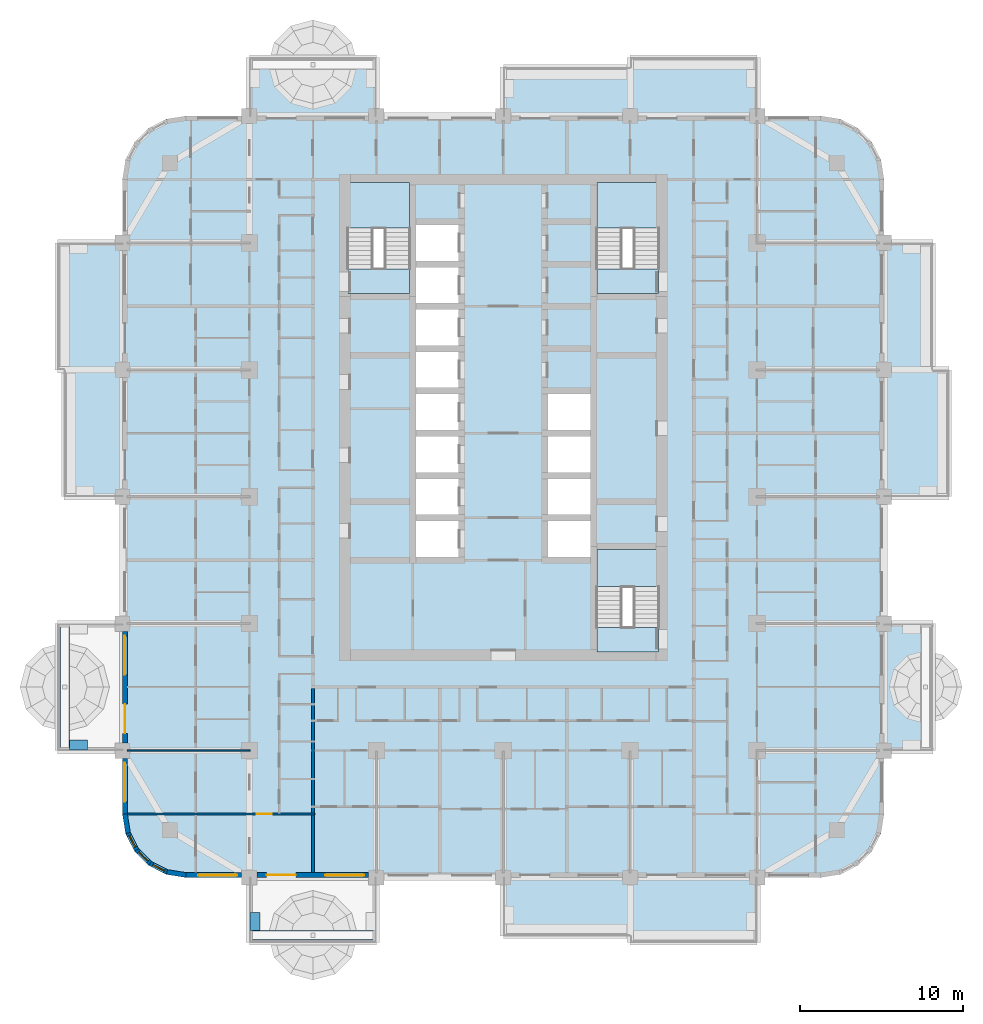
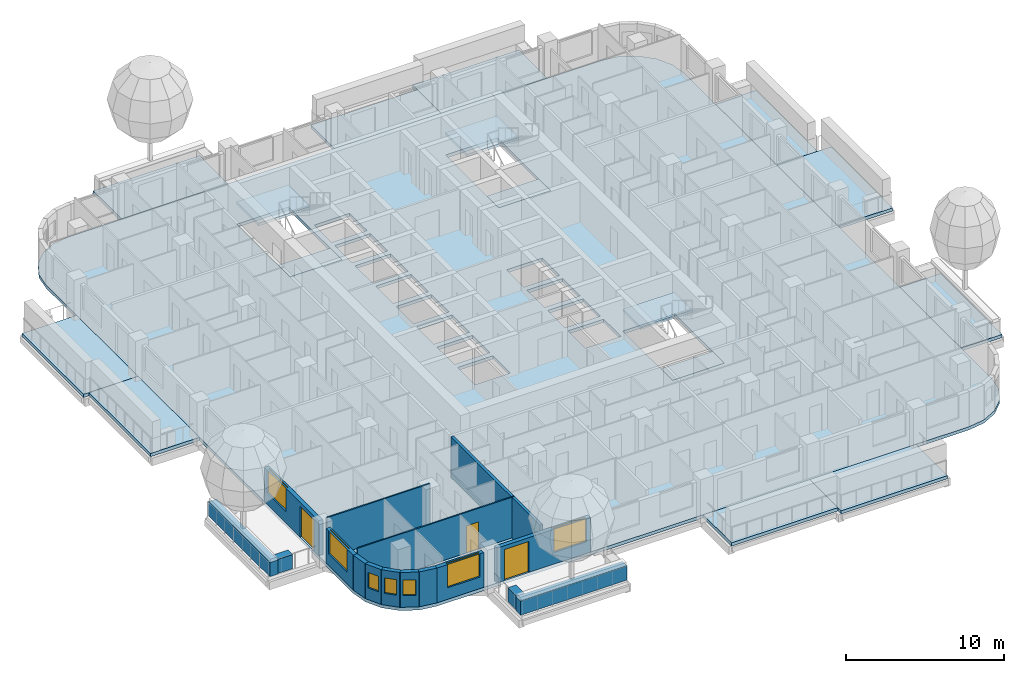
# One storey, part 2 of 19: 17 slabs, 16 walls, 7 windows, 3 doors, 10 openings, 3 elements without a shape of their own.
"""IFC4 building model written with IfcOpenShell, lengths in metres."""

from ifc_helpers import new_model, si_unit, direction, frame, frame_2d, origin, place, context, subcontext, project, spatial, polyline, rectangle, outline, extrude, material, layer, layer_set, type_object, element, fill, aggregate, save


model = new_model("IFC4")

# Units and contexts
model_context = context("Model", 3, precision=1e-05, world=origin(), true_north=direction((0.0, 1.0)))
body_context = subcontext(model_context, "Body", "Model", "MODEL_VIEW")
ifc_project = project(units=[si_unit("LENGTHUNIT", "METRE"), si_unit("AREAUNIT", "SQUARE_METRE"), si_unit("VOLUMEUNIT", "CUBIC_METRE"), si_unit("PLANEANGLEUNIT", "RADIAN"), si_unit("MASSUNIT", "GRAM", prefix="KILO")], contexts=[model_context])

# Site, building, storey
site_placement = place(None, origin())
site = spatial("IfcSite", under=ifc_project, at=site_placement, CompositionType="ELEMENT")
building_placement = place(site_placement, origin())
building = spatial("IfcBuilding", under=site, at=building_placement, Name="Ludao Terraces", CompositionType="ELEMENT")
storey_placement = place(building_placement, frame((0.0, 0.0, 81.800048828125)))
storey = spatial("IfcBuildingStorey", under=building, at=storey_placement, Name="L22", CompositionType="ELEMENT", Elevation=81.800048828125)

# Slabs
ifc_material_1 = material(Name="Concrete C40", Category="concrete")
ifc_layer_1 = layer(ifc_material_1, 0.25)
ifc_layer_set_1 = layer_set([ifc_layer_1], Name="Balcony slab 250 C40")
slab_type_1 = type_object("IfcSlabType", Name="Balcony slab 250 C40", PredefinedType="USERDEFINED", material=ifc_layer_set_1)
slab_1_placement = place(storey_placement, frame((0.0, 0.0, -0.25)))
element("IfcSlab", 1, at=slab_1_placement, inside=storey, type_object=slab_type_1, Name="Balcony L22 S3", ObjectType="BALCONY", PredefinedType="USERDEFINED", context=body_context, shape_type="SweptSolid", body=[
    extrude(outline(polyline([(85.0, 38.0), (92.800048828125, 38.0), (92.800048828125, 41.60009765625), (85.0, 41.60009765625), (85.0, 38.0)])), origin(), (0.0, 0.0, 1.0), 0.25),
])
slab_2_placement = place(storey_placement, frame((0.0, 0.0, -0.25)))
element("IfcSlab", 2, at=slab_2_placement, inside=storey, type_object=slab_type_1, Name="Balcony L22 S4", ObjectType="BALCONY", PredefinedType="USERDEFINED", context=body_context, shape_type="SweptSolid", body=[
    extrude(outline(polyline([(92.800048828125, 37.60009765625), (100.60009765625, 37.60009765625), (100.60009765625, 41.60009765625), (92.800048828125, 41.60009765625), (92.800048828125, 37.60009765625)])), origin(), (0.0, 0.0, 1.0), 0.25),
])
slab_3_placement = place(storey_placement, frame((0.0, 0.0, -0.25)))
element("IfcSlab", 3, at=slab_3_placement, inside=storey, type_object=slab_type_1, Name="Balcony L22 E1", ObjectType="BALCONY", PredefinedType="USERDEFINED", context=body_context, shape_type="SweptSolid", body=[
    extrude(outline(polyline([(108.39990234375, 49.39990234375), (111.39990234375, 49.39990234375), (111.39990234375, 57.199951171875), (108.39990234375, 57.199951171875), (108.39990234375, 49.39990234375)])), origin(), (0.0, 0.0, 1.0), 0.25),
])
slab_4_placement = place(storey_placement, frame((0.0, 0.0, -0.25)))
element("IfcSlab", 4, at=slab_4_placement, inside=storey, type_object=slab_type_1, Name="Balcony L22 E3", ObjectType="BALCONY", PredefinedType="USERDEFINED", context=body_context, shape_type="SweptSolid", body=[
    extrude(outline(polyline([(108.39990234375, 65.0), (112.39990234375, 65.0), (112.39990234375, 72.800048828125), (108.39990234375, 72.800048828125), (108.39990234375, 65.0)])), origin(), (0.0, 0.0, 1.0), 0.25),
])
slab_5_placement = place(storey_placement, frame((0.0, 0.0, -0.25)))
element("IfcSlab", 5, at=slab_5_placement, inside=storey, type_object=slab_type_1, Name="Balcony L22 E4", ObjectType="BALCONY", PredefinedType="USERDEFINED", context=body_context, shape_type="SweptSolid", body=[
    extrude(outline(polyline([(108.39990234375, 72.800048828125), (111.39990234375, 72.800048828125), (111.39990234375, 80.60009765625), (108.39990234375, 80.60009765625), (108.39990234375, 72.800048828125)])), origin(), (0.0, 0.0, 1.0), 0.25),
])
slab_6_placement = place(storey_placement, frame((0.0, 0.0, -0.25)))
element("IfcSlab", 6, at=slab_6_placement, inside=storey, type_object=slab_type_1, Name="Balcony L22 N1", ObjectType="BALCONY", PredefinedType="USERDEFINED", context=body_context, shape_type="SweptSolid", body=[
    extrude(outline(polyline([(69.39990234375, 88.39990234375), (77.199951171875, 88.39990234375), (77.199951171875, 92.0), (69.39990234375, 92.0), (69.39990234375, 88.39990234375)])), origin(), (0.0, 0.0, 1.0), 0.25),
])
slab_7_placement = place(storey_placement, frame((0.0, 0.0, -0.25)))
element("IfcSlab", 7, at=slab_7_placement, inside=storey, type_object=slab_type_1, Name="Balcony L22 N3", ObjectType="BALCONY", PredefinedType="USERDEFINED", context=body_context, shape_type="SweptSolid", body=[
    extrude(outline(polyline([(85.0, 88.39990234375), (92.800048828125, 88.39990234375), (92.800048828125, 91.39990234375), (85.0, 91.39990234375), (85.0, 88.39990234375)])), origin(), (0.0, 0.0, 1.0), 0.25),
])
slab_8_placement = place(storey_placement, frame((0.0, 0.0, -0.25)))
element("IfcSlab", 8, at=slab_8_placement, inside=storey, type_object=slab_type_1, Name="Balcony L22 N4", ObjectType="BALCONY", PredefinedType="USERDEFINED", context=body_context, shape_type="SweptSolid", body=[
    extrude(outline(polyline([(92.800048828125, 88.39990234375), (100.60009765625, 88.39990234375), (100.60009765625, 92.0), (92.800048828125, 92.0), (92.800048828125, 88.39990234375)])), origin(), (0.0, 0.0, 1.0), 0.25),
])
slab_9_placement = place(storey_placement, frame((0.0, 0.0, -0.25)))
element("IfcSlab", 9, at=slab_9_placement, inside=storey, type_object=slab_type_1, Name="Balcony L22 W3", ObjectType="BALCONY", PredefinedType="USERDEFINED", context=body_context, shape_type="SweptSolid", body=[
    extrude(outline(polyline([(58.0, 65.0), (61.60009765625, 65.0), (61.60009765625, 72.800048828125), (58.0, 72.800048828125), (58.0, 65.0)])), origin(), (0.0, 0.0, 1.0), 0.25),
])
slab_10_placement = place(storey_placement, frame((0.0, 0.0, -0.25)))
element("IfcSlab", 10, at=slab_10_placement, inside=storey, type_object=slab_type_1, Name="Balcony L22 W4", ObjectType="BALCONY", PredefinedType="USERDEFINED", context=body_context, shape_type="SweptSolid", body=[
    extrude(outline(polyline([(57.60009765625, 72.800048828125), (61.60009765625, 72.800048828125), (61.60009765625, 80.60009765625), (57.60009765625, 80.60009765625), (57.60009765625, 72.800048828125)])), origin(), (0.0, 0.0, 1.0), 0.25),
])
ifc_layer_2 = layer(ifc_material_1, 0.25)
ifc_layer_set_2 = layer_set([ifc_layer_2], Name="Floor slab 250 C40")
slab_type_2 = type_object("IfcSlabType", Name="Floor slab 250 C40", PredefinedType="FLOOR", material=ifc_layer_set_2)
slab_11_placement = place(storey_placement, frame((0.0, 0.0, -0.25)))
element("IfcSlab", 11, at=slab_11_placement, inside=storey, type_object=slab_type_2, Name="Slab L22", PredefinedType="FLOOR", context=body_context, shape_type="SweptSolid", body=[
    extrude(outline(polyline([(104.5, 41.60009765625), (105.705078125, 41.790771484375), (106.79248046875, 42.3447265625), (107.6552734375, 43.20751953125), (108.209228515625, 44.294921875), (108.39990234375, 45.5), (108.39990234375, 84.5), (108.209228515625, 85.705078125), (107.6552734375, 86.79248046875), (106.79248046875, 87.6552734375), (105.705078125, 88.209228515625), (104.5, 88.39990234375), (65.5, 88.39990234375), (64.294921875, 88.209228515625), (63.20751953125, 87.6552734375), (62.3447265625, 86.79248046875), (61.790771484375, 85.705078125), (61.60009765625, 84.5), (61.60009765625, 45.5), (61.790771484375, 44.294921875), (62.3447265625, 43.20751953125), (63.20751953125, 42.3447265625), (64.294921875, 41.790771484375), (65.5, 41.60009765625), (104.5, 41.60009765625)]), holes=[polyline([(79.64990234375, 61.300048828125), (82.25, 61.300048828125), (82.25, 63.5), (79.64990234375, 63.5), (79.64990234375, 61.300048828125)]), polyline([(79.64990234375, 63.89990234375), (82.25, 63.89990234375), (82.25, 66.10009765625), (79.64990234375, 66.10009765625), (79.64990234375, 63.89990234375)]), polyline([(79.64990234375, 66.5), (82.25, 66.5), (82.25, 68.699951171875), (79.64990234375, 68.699951171875), (79.64990234375, 66.5)]), polyline([(79.64990234375, 69.10009765625), (82.25, 69.10009765625), (82.25, 71.300048828125), (79.64990234375, 71.300048828125), (79.64990234375, 69.10009765625)]), polyline([(79.64990234375, 71.699951171875), (82.25, 71.699951171875), (82.25, 73.89990234375), (79.64990234375, 73.89990234375), (79.64990234375, 71.699951171875)]), polyline([(79.64990234375, 74.300048828125), (82.25, 74.300048828125), (82.25, 76.5), (79.64990234375, 76.5), (79.64990234375, 74.300048828125)]), polyline([(79.64990234375, 76.89990234375), (82.25, 76.89990234375), (82.25, 79.10009765625), (79.64990234375, 79.10009765625), (79.64990234375, 76.89990234375)]), polyline([(79.64990234375, 79.5), (82.25, 79.5), (82.25, 81.699951171875), (79.64990234375, 81.699951171875), (79.64990234375, 79.5)]), polyline([(87.75, 61.300048828125), (90.35009765625, 61.300048828125), (90.35009765625, 63.5), (87.75, 63.5), (87.75, 61.300048828125)]), polyline([(87.75, 63.89990234375), (90.35009765625, 63.89990234375), (90.35009765625, 66.10009765625), (87.75, 66.10009765625), (87.75, 63.89990234375)]), polyline([(87.75, 66.5), (90.35009765625, 66.5), (90.35009765625, 68.699951171875), (87.75, 68.699951171875), (87.75, 66.5)]), polyline([(87.75, 69.10009765625), (90.35009765625, 69.10009765625), (90.35009765625, 71.300048828125), (87.75, 71.300048828125), (87.75, 69.10009765625)]), polyline([(75.449951171875, 77.5), (79.25, 77.5), (79.25, 84.239990234375), (75.449951171875, 84.239990234375), (75.449951171875, 77.5)]), polyline([(90.75, 77.5), (94.550048828125, 77.5), (94.550048828125, 84.239990234375), (90.75, 84.239990234375), (90.75, 77.5)]), polyline([(90.75, 55.449951171875), (94.550048828125, 55.449951171875), (94.550048828125, 61.75), (90.75, 61.75), (90.75, 55.449951171875)])]), origin(), (0.0, 0.0, 1.0), 0.25),
])

# Stair, slabs
stair_type = type_object("IfcStairType", Name="INT Stair", PredefinedType="HALF_TURN_STAIR", material=ifc_material_1)
stair_1_placement = place(storey_placement, origin())
stair_1 = element("IfcStair", 12, at=stair_1_placement, inside=storey, type_object=stair_type, Name="EXIT STAIR 1", PredefinedType="HALF_TURN_STAIR")
ifc_layer_3 = layer(ifc_material_1, 0.199951171875)
ifc_layer_set_3 = layer_set([ifc_layer_3], Name="INT Stair landing 200")
slab_type_3 = type_object("IfcSlabType", Name="INT Stair landing 200", PredefinedType="LANDING", material=ifc_layer_set_3)
slab_12_placement = place(storey_placement, frame((0.0, 0.0, 1.5)))
slab_12 = element("IfcSlab", 13, at=slab_12_placement, type_object=slab_type_3, Name="ST1 landing 1", PredefinedType="LANDING", context=body_context, shape_type="SweptSolid", body=[
    extrude(outline(polyline([(75.449951171875, 81.52001953125), (79.25, 81.52001953125), (79.25, 84.300048828125), (75.449951171875, 84.300048828125), (75.449951171875, 81.52001953125)])), origin(), (0.0, 0.0, 1.0), 0.199951171875),
])
slab_13_placement = place(storey_placement, frame((0.0, 0.0, -0.199951171875)))
slab_13 = element("IfcSlab", 14, at=slab_13_placement, type_object=slab_type_3, Name="ST1 landing 2", PredefinedType="LANDING", context=body_context, shape_type="SweptSolid", body=[
    extrude(outline(polyline([(75.449951171875, 77.5), (79.25, 77.5), (79.25, 79.0), (75.449951171875, 79.0), (75.449951171875, 77.5)])), origin(), (0.0, 0.0, 1.0), 0.199951171875),
])
aggregate(stair_1, [slab_12, slab_13])

stair_2_placement = place(storey_placement, origin())
stair_2 = element("IfcStair", 15, at=stair_2_placement, inside=storey, type_object=stair_type, Name="EXIT STAIR 2", PredefinedType="HALF_TURN_STAIR")
slab_14_placement = place(storey_placement, frame((0.0, 0.0, 1.5)))
slab_14 = element("IfcSlab", 16, at=slab_14_placement, type_object=slab_type_3, Name="ST2 landing 1", PredefinedType="LANDING", context=body_context, shape_type="SweptSolid", body=[
    extrude(outline(polyline([(90.75, 81.52001953125), (94.550048828125, 81.52001953125), (94.550048828125, 84.300048828125), (90.75, 84.300048828125), (90.75, 81.52001953125)])), origin(), (0.0, 0.0, 1.0), 0.199951171875),
])
slab_15_placement = place(storey_placement, frame((0.0, 0.0, -0.199951171875)))
slab_15 = element("IfcSlab", 17, at=slab_15_placement, type_object=slab_type_3, Name="ST2 landing 2", PredefinedType="LANDING", context=body_context, shape_type="SweptSolid", body=[
    extrude(outline(polyline([(90.75, 77.5), (94.550048828125, 77.5), (94.550048828125, 79.0), (90.75, 79.0), (90.75, 77.5)])), origin(), (0.0, 0.0, 1.0), 0.199951171875),
])
aggregate(stair_2, [slab_14, slab_15])

stair_3_placement = place(storey_placement, origin())
stair_3 = element("IfcStair", 18, at=stair_3_placement, inside=storey, type_object=stair_type, Name="EXIT STAIR 3", PredefinedType="HALF_TURN_STAIR")
slab_16_placement = place(storey_placement, frame((0.0, 0.0, 1.5)))
slab_16 = element("IfcSlab", 19, at=slab_16_placement, type_object=slab_type_3, Name="ST3 landing 1", PredefinedType="LANDING", context=body_context, shape_type="SweptSolid", body=[
    extrude(outline(polyline([(90.75, 59.469970703125), (94.550048828125, 59.469970703125), (94.550048828125, 61.75), (90.75, 61.75), (90.75, 59.469970703125)])), origin(), (0.0, 0.0, 1.0), 0.199951171875),
])
slab_17_placement = place(storey_placement, frame((0.0, 0.0, -0.199951171875)))
slab_17 = element("IfcSlab", 20, at=slab_17_placement, type_object=slab_type_3, Name="ST3 landing 2", PredefinedType="LANDING", context=body_context, shape_type="SweptSolid", body=[
    extrude(outline(polyline([(90.75, 55.449951171875), (94.550048828125, 55.449951171875), (94.550048828125, 56.949951171875), (90.75, 56.949951171875), (90.75, 55.449951171875)])), origin(), (0.0, 0.0, 1.0), 0.199951171875),
])
aggregate(stair_3, [slab_16, slab_17])

# Walls
ifc_layer_4 = layer(ifc_material_1, 0.60009765625)
ifc_layer_set_4 = layer_set([ifc_layer_4], Name="ENV Planter trough 600")
wall_type_1 = type_object("IfcWallType", Name="ENV Planter trough 600", PredefinedType="USERDEFINED", material=ifc_layer_set_4)
wall_1_placement = place(storey_placement, frame((69.39990234375, 38.050048828125, 0.0), z_axis=(0.0, 0.0, 1.0), x_axis=(1.0, 0.0, 0.0)))
element("IfcWall", 21, at=wall_1_placement, inside=storey, type_object=wall_type_1, Name="PL-L22-S1", ObjectType="PLANTER", PredefinedType="USERDEFINED", context=body_context, shape_type="SweptSolid", body=[
    extrude(rectangle(XDim=7.800048828125, YDim=0.60009765625, at=frame_2d((3.89990234375, 0.0))), origin(), (0.0, 0.0, 1.0), 1.099853515625),
])
wall_2_placement = place(storey_placement, frame((69.75, 38.35009765625, 0.0), z_axis=(0.0, 0.0, 1.0), x_axis=(0.0, 1.0, 0.0)))
element("IfcWall", 22, at=wall_2_placement, inside=storey, type_object=wall_type_1, Name="PL-L22-S1-SA", ObjectType="PLANTER", PredefinedType="USERDEFINED", context=body_context, shape_type="SweptSolid", body=[
    extrude(rectangle(XDim=1.099853515625, YDim=0.60009765625, at=frame_2d((0.5498046875, 0.0))), origin(), (0.0, 0.0, 1.0), 1.099853515625),
])
wall_3_placement = place(storey_placement, frame((58.050048828125, 49.39990234375, 0.0), z_axis=(0.0, 0.0, 1.0), x_axis=(0.0, 1.0, 0.0)))
element("IfcWall", 23, at=wall_3_placement, inside=storey, type_object=wall_type_1, Name="PL-L22-W1", ObjectType="PLANTER", PredefinedType="USERDEFINED", context=body_context, shape_type="SweptSolid", body=[
    extrude(rectangle(XDim=7.800048828125, YDim=0.60009765625, at=frame_2d((3.89990234375, 0.0))), origin(), (0.0, 0.0, 1.0), 1.099853515625),
])
wall_4_placement = place(storey_placement, frame((58.35009765625, 49.75, 0.0), z_axis=(0.0, 0.0, 1.0), x_axis=(1.0, 0.0, 0.0)))
element("IfcWall", 24, at=wall_4_placement, inside=storey, type_object=wall_type_1, Name="PL-L22-W1-SA", ObjectType="PLANTER", PredefinedType="USERDEFINED", context=body_context, shape_type="SweptSolid", body=[
    extrude(rectangle(XDim=1.099853515625, YDim=0.60009765625, at=frame_2d((0.5498046875, 0.0))), origin(), (0.0, 0.0, 1.0), 1.099853515625),
])

# Wall, opening, window
ifc_material_2 = material(Name="Granite cladding", Category="masonry")
ifc_layer_5 = layer(ifc_material_2, 0.0400390625, Category="stone")
ifc_material_3 = material(Name="Mineral wool")
ifc_layer_6 = layer(ifc_material_3, 0.06005859375)
ifc_layer_7 = layer(ifc_material_1, 0.199951171875, Category="concrete")
ifc_layer_set_5 = layer_set([ifc_layer_5, ifc_layer_6, ifc_layer_7], Name="ENV Stone-clad wall 300")
wall_type_2 = type_object("IfcWallType", Name="ENV Stone-clad wall 300", PredefinedType="SOLIDWALL", material=ifc_layer_set_5)
wall_5_placement = place(storey_placement, frame((65.5, 41.75, 0.0), z_axis=(0.0, 0.0, 1.0), x_axis=(1.0, 0.0, 0.0)))
wall_5 = element("IfcWall", 25, at=wall_5_placement, inside=storey, type_object=wall_type_2, Name="EW-L22-S1", PredefinedType="SOLIDWALL", context=body_context, shape_type="SweptSolid", body=[
    extrude(rectangle(XDim=3.425048828125, YDim=0.300048828125, at=frame_2d((1.71240234375, 0.0))), origin(), (0.0, 0.0, 1.0), 2.699951171875),
])
opening_1_placement = place(wall_5_placement, frame((0.75, 0.0, 0.89990234375)))
opening_1 = element("IfcOpeningElement", 26, at=opening_1_placement, cuts=wall_5, Name="Opening W1", PredefinedType="OPENING", context=body_context, shape_type="SweptSolid", body=[
    extrude(rectangle(XDim=2.39990234375, YDim=1.800048828125, at=frame_2d((1.199951171875, 0.89990234375))), frame((0.0, 0.16015625, 0.0), z_axis=(0.0, -1.0, 0.0), x_axis=(1.0, 0.0, 0.0)), (0.0, 0.0, 1.0), 0.320068359375),
])
ifc_material_4 = material(Name="Clear glass in aluminium frame", Category="aluminium")
ifc_layer_8 = layer(ifc_material_4, 0.06005859375)
ifc_layer_set_6 = layer_set([ifc_layer_8], Name="ENV Window W1 2400x1800")
window_type_1 = type_object("IfcWindowType", Name="ENV Window W1 2400x1800", PartitioningType="DOUBLE_PANEL_VERTICAL", PredefinedType="WINDOW", material=ifc_layer_set_6)
window_1_placement = place(opening_1_placement, origin())
window_1 = element("IfcWindow", 27, at=window_1_placement, inside=storey, type_object=window_type_1, Name="W-L22-S1-1", OverallHeight=1.800048828125, OverallWidth=2.39990234375, PartitioningType="DOUBLE_PANEL_VERTICAL", PredefinedType="WINDOW", context=body_context, shape_type="SweptSolid", body=[
    extrude(rectangle(XDim=2.39990234375, YDim=1.800048828125, at=frame_2d((1.199951171875, 0.89990234375))), frame((0.0, 0.030029296875, 0.0), z_axis=(0.0, -1.0, 0.0), x_axis=(1.0, 0.0, 0.0)), (0.0, 0.0, 1.0), 0.06005859375),
])
fill(opening_1, window_1)

# Wall, openings, door, window
wall_6_placement = place(storey_placement, frame((69.875, 41.75, 0.0), z_axis=(0.0, 0.0, 1.0), x_axis=(1.0, 0.0, 0.0)))
wall_6 = element("IfcWall", 28, at=wall_6_placement, inside=storey, type_object=wall_type_2, Name="EW-L22-S2", PredefinedType="SOLIDWALL", context=body_context, shape_type="SweptSolid", body=[
    extrude(rectangle(XDim=6.85009765625, YDim=0.300048828125, at=frame_2d((3.425048828125, 0.0))), origin(), (0.0, 0.0, 1.0), 2.699951171875),
])
opening_2_placement = place(wall_6_placement, frame((0.574951171875, 0.0, 0.0)))
opening_2 = element("IfcOpeningElement", 29, at=opening_2_placement, cuts=wall_6, Name="Opening BD", PredefinedType="OPENING", context=body_context, shape_type="SweptSolid", body=[
    extrude(rectangle(XDim=1.800048828125, YDim=2.39990234375, at=frame_2d((0.89990234375, 1.199951171875))), frame((0.0, 0.16015625, 0.0), z_axis=(0.0, -1.0, 0.0), x_axis=(1.0, 0.0, 0.0)), (0.0, 0.0, 1.0), 0.320068359375),
])
opening_3_placement = place(wall_6_placement, frame((4.175048828125, 0.0, 0.89990234375)))
opening_3 = element("IfcOpeningElement", 30, at=opening_3_placement, cuts=wall_6, Name="Opening W1", PredefinedType="OPENING", context=body_context, shape_type="SweptSolid", body=[
    extrude(rectangle(XDim=2.39990234375, YDim=1.800048828125, at=frame_2d((1.199951171875, 0.89990234375))), frame((0.0, 0.16015625, 0.0), z_axis=(0.0, -1.0, 0.0), x_axis=(1.0, 0.0, 0.0)), (0.0, 0.0, 1.0), 0.320068359375),
])
ifc_material_5 = material(Name="Aluminium glazed door", Category="aluminium")
ifc_layer_9 = layer(ifc_material_5, 0.06005859375)
ifc_layer_set_7 = layer_set([ifc_layer_9], Name="ENV Balcony door BD 1800x2400")
door_type_1 = type_object("IfcDoorType", Name="ENV Balcony door BD 1800x2400", OperationType="DOUBLE_DOOR_SINGLE_SWING", PredefinedType="DOOR", material=ifc_layer_set_7)
door_1_placement = place(opening_2_placement, origin())
door_1 = element("IfcDoor", 31, at=door_1_placement, inside=storey, type_object=door_type_1, Name="BD-L22-S2-1", OperationType="DOUBLE_DOOR_SINGLE_SWING", OverallHeight=2.39990234375, OverallWidth=1.800048828125, PredefinedType="DOOR", context=body_context, shape_type="SweptSolid", body=[
    extrude(rectangle(XDim=1.800048828125, YDim=2.39990234375, at=frame_2d((0.89990234375, 1.199951171875))), frame((0.0, 0.02490234375, 0.0), z_axis=(0.0, -1.0, 0.0), x_axis=(1.0, 0.0, 0.0)), (0.0, 0.0, 1.0), 0.050048828125),
])
fill(opening_2, door_1)
window_2_placement = place(opening_3_placement, origin())
window_2 = element("IfcWindow", 32, at=window_2_placement, inside=storey, type_object=window_type_1, Name="W-L22-S2-2", OverallHeight=1.800048828125, OverallWidth=2.39990234375, PartitioningType="DOUBLE_PANEL_VERTICAL", PredefinedType="WINDOW", context=body_context, shape_type="SweptSolid", body=[
    extrude(rectangle(XDim=2.39990234375, YDim=1.800048828125, at=frame_2d((1.199951171875, 0.89990234375))), frame((0.0, 0.030029296875, 0.0), z_axis=(0.0, -1.0, 0.0), x_axis=(1.0, 0.0, 0.0)), (0.0, 0.0, 1.0), 0.06005859375),
])
fill(opening_3, window_2)

# Wall, opening, window
wall_7_placement = place(storey_placement, frame((61.75, 45.5, 0.0), z_axis=(0.0, 0.0, 1.0), x_axis=(0.0, 1.0, 0.0)))
wall_7 = element("IfcWall", 33, at=wall_7_placement, inside=storey, type_object=wall_type_2, Name="EW-L22-W1", PredefinedType="SOLIDWALL", context=body_context, shape_type="SweptSolid", body=[
    extrude(rectangle(XDim=3.425048828125, YDim=0.300048828125, at=frame_2d((1.71240234375, 0.0))), origin(), (0.0, 0.0, 1.0), 2.699951171875),
])
opening_4_placement = place(wall_7_placement, frame((0.75, 0.0, 0.89990234375)))
opening_4 = element("IfcOpeningElement", 34, at=opening_4_placement, cuts=wall_7, Name="Opening W1", PredefinedType="OPENING", context=body_context, shape_type="SweptSolid", body=[
    extrude(rectangle(XDim=2.39990234375, YDim=1.800048828125, at=frame_2d((1.199951171875, 0.89990234375))), frame((0.0, 0.16015625, 0.0), z_axis=(0.0, -1.0, 0.0), x_axis=(1.0, 0.0, 0.0)), (0.0, 0.0, 1.0), 0.320068359375),
])
window_3_placement = place(opening_4_placement, origin())
window_3 = element("IfcWindow", 35, at=window_3_placement, inside=storey, type_object=window_type_1, Name="W-L22-W1-1", OverallHeight=1.800048828125, OverallWidth=2.39990234375, PartitioningType="DOUBLE_PANEL_VERTICAL", PredefinedType="WINDOW", context=body_context, shape_type="SweptSolid", body=[
    extrude(rectangle(XDim=2.39990234375, YDim=1.800048828125, at=frame_2d((1.199951171875, 0.89990234375))), frame((0.0, 0.030029296875, 0.0), z_axis=(0.0, -1.0, 0.0), x_axis=(1.0, 0.0, 0.0)), (0.0, 0.0, 1.0), 0.06005859375),
])
fill(opening_4, window_3)

# Wall, openings, door, window
wall_8_placement = place(storey_placement, frame((61.75, 49.875, 0.0), z_axis=(0.0, 0.0, 1.0), x_axis=(0.0, 1.0, 0.0)))
wall_8 = element("IfcWall", 36, at=wall_8_placement, inside=storey, type_object=wall_type_2, Name="EW-L22-W2", PredefinedType="SOLIDWALL", context=body_context, shape_type="SweptSolid", body=[
    extrude(rectangle(XDim=6.85009765625, YDim=0.300048828125, at=frame_2d((3.425048828125, 0.0))), origin(), (0.0, 0.0, 1.0), 2.699951171875),
])
opening_5_placement = place(wall_8_placement, frame((0.574951171875, 0.0, 0.0)))
opening_5 = element("IfcOpeningElement", 37, at=opening_5_placement, cuts=wall_8, Name="Opening BD", PredefinedType="OPENING", context=body_context, shape_type="SweptSolid", body=[
    extrude(rectangle(XDim=1.800048828125, YDim=2.39990234375, at=frame_2d((0.89990234375, 1.199951171875))), frame((0.0, 0.16015625, 0.0), z_axis=(0.0, -1.0, 0.0), x_axis=(1.0, 0.0, 0.0)), (0.0, 0.0, 1.0), 0.320068359375),
])
opening_6_placement = place(wall_8_placement, frame((4.175048828125, 0.0, 0.89990234375)))
opening_6 = element("IfcOpeningElement", 38, at=opening_6_placement, cuts=wall_8, Name="Opening W1", PredefinedType="OPENING", context=body_context, shape_type="SweptSolid", body=[
    extrude(rectangle(XDim=2.39990234375, YDim=1.800048828125, at=frame_2d((1.199951171875, 0.89990234375))), frame((0.0, 0.16015625, 0.0), z_axis=(0.0, -1.0, 0.0), x_axis=(1.0, 0.0, 0.0)), (0.0, 0.0, 1.0), 0.320068359375),
])
door_2_placement = place(opening_5_placement, origin())
door_2 = element("IfcDoor", 39, at=door_2_placement, inside=storey, type_object=door_type_1, Name="BD-L22-W2-1", OperationType="DOUBLE_DOOR_SINGLE_SWING", OverallHeight=2.39990234375, OverallWidth=1.800048828125, PredefinedType="DOOR", context=body_context, shape_type="SweptSolid", body=[
    extrude(rectangle(XDim=1.800048828125, YDim=2.39990234375, at=frame_2d((0.89990234375, 1.199951171875))), frame((0.0, 0.02490234375, 0.0), z_axis=(0.0, -1.0, 0.0), x_axis=(1.0, 0.0, 0.0)), (0.0, 0.0, 1.0), 0.050048828125),
])
fill(opening_5, door_2)
window_4_placement = place(opening_6_placement, origin())
window_4 = element("IfcWindow", 40, at=window_4_placement, inside=storey, type_object=window_type_1, Name="W-L22-W2-2", OverallHeight=1.800048828125, OverallWidth=2.39990234375, PartitioningType="DOUBLE_PANEL_VERTICAL", PredefinedType="WINDOW", context=body_context, shape_type="SweptSolid", body=[
    extrude(rectangle(XDim=2.39990234375, YDim=1.800048828125, at=frame_2d((1.199951171875, 0.89990234375))), frame((0.0, 0.030029296875, 0.0), z_axis=(0.0, -1.0, 0.0), x_axis=(1.0, 0.0, 0.0)), (0.0, 0.0, 1.0), 0.06005859375),
])
fill(opening_6, window_4)

# Wall
wall_9_placement = place(storey_placement, frame((61.75, 45.5, 0.0), z_axis=(0.0, 0.0, 1.0), x_axis=(0.156496880861, -0.987678452879, 0.0)))
element("IfcWall", 41, at=wall_9_placement, inside=storey, type_object=wall_type_2, Name="EW-L22-SW1", PredefinedType="SOLIDWALL", context=body_context, shape_type="SweptSolid", body=[
    extrude(rectangle(XDim=1.173095703125, YDim=0.300048828125, at=frame_2d((0.58642578125, 0.0))), origin(), (0.0, 0.0, 1.0), 2.699951171875),
])

# Wall, opening, window
wall_10_placement = place(storey_placement, frame((61.93359375, 44.34130859375, 0.0), z_axis=(0.0, 0.0, 1.0), x_axis=(0.454025524128, -0.890988677504, 0.0)))
wall_10 = element("IfcWall", 42, at=wall_10_placement, inside=storey, type_object=wall_type_2, Name="EW-L22-SW2", PredefinedType="SOLIDWALL", context=body_context, shape_type="SweptSolid", body=[
    extrude(rectangle(XDim=1.17333984375, YDim=0.300048828125, at=frame_2d((0.586669921875, 0.0))), origin(), (0.0, 0.0, 1.0), 2.699951171875),
])
opening_7_placement = place(wall_10_placement, frame((0.1865234375, 0.0, 0.89990234375)))
opening_7 = element("IfcOpeningElement", 43, at=opening_7_placement, cuts=wall_10, Name="Opening W3", PredefinedType="OPENING", context=body_context, shape_type="SweptSolid", body=[
    extrude(rectangle(XDim=0.800048828125, YDim=1.199951171875, at=frame_2d((0.39990234375, 0.60009765625))), frame((0.0, 0.16015625, 0.0), z_axis=(0.0, -1.0, 0.0), x_axis=(1.0, 0.0, 0.0)), (0.0, 0.0, 1.0), 0.320068359375),
])
ifc_layer_10 = layer(ifc_material_4, 0.06005859375)
ifc_layer_set_8 = layer_set([ifc_layer_10], Name="ENV Window W3 800x1200")
window_type_2 = type_object("IfcWindowType", Name="ENV Window W3 800x1200", PartitioningType="SINGLE_PANEL", PredefinedType="WINDOW", material=ifc_layer_set_8)
window_5_placement = place(opening_7_placement, origin())
window_5 = element("IfcWindow", 44, at=window_5_placement, inside=storey, type_object=window_type_2, Name="W-L22-SW2", OverallHeight=1.199951171875, OverallWidth=0.800048828125, PartitioningType="SINGLE_PANEL", PredefinedType="WINDOW", context=body_context, shape_type="SweptSolid", body=[
    extrude(rectangle(XDim=0.800048828125, YDim=1.199951171875, at=frame_2d((0.39990234375, 0.60009765625))), frame((0.0, 0.030029296875, 0.0), z_axis=(0.0, -1.0, 0.0), x_axis=(1.0, 0.0, 0.0)), (0.0, 0.0, 1.0), 0.06005859375),
])
fill(opening_7, window_5)

wall_11_placement = place(storey_placement, frame((62.46630859375, 43.2958984375, 0.0), z_axis=(0.0, 0.0, 1.0), x_axis=(0.707106781187, -0.707106781187, 0.0)))
wall_11 = element("IfcWall", 45, at=wall_11_placement, inside=storey, type_object=wall_type_2, Name="EW-L22-SW3", PredefinedType="SOLIDWALL", context=body_context, shape_type="SweptSolid", body=[
    extrude(rectangle(XDim=1.173095703125, YDim=0.300048828125, at=frame_2d((0.58642578125, 0.0))), origin(), (0.0, 0.0, 1.0), 2.699951171875),
])
opening_8_placement = place(wall_11_placement, frame((0.1865234375, 0.0, 0.89990234375)))
opening_8 = element("IfcOpeningElement", 46, at=opening_8_placement, cuts=wall_11, Name="Opening W3", PredefinedType="OPENING", context=body_context, shape_type="SweptSolid", body=[
    extrude(rectangle(XDim=0.800048828125, YDim=1.199951171875, at=frame_2d((0.39990234375, 0.60009765625))), frame((0.0, 0.16015625, 0.0), z_axis=(0.0, -1.0, 0.0), x_axis=(1.0, 0.0, 0.0)), (0.0, 0.0, 1.0), 0.320068359375),
])
window_6_placement = place(opening_8_placement, origin())
window_6 = element("IfcWindow", 47, at=window_6_placement, inside=storey, type_object=window_type_2, Name="W-L22-SW3", OverallHeight=1.199951171875, OverallWidth=0.800048828125, PartitioningType="SINGLE_PANEL", PredefinedType="WINDOW", context=body_context, shape_type="SweptSolid", body=[
    extrude(rectangle(XDim=0.800048828125, YDim=1.199951171875, at=frame_2d((0.39990234375, 0.60009765625))), frame((0.0, 0.030029296875, 0.0), z_axis=(0.0, -1.0, 0.0), x_axis=(1.0, 0.0, 0.0)), (0.0, 0.0, 1.0), 0.06005859375),
])
fill(opening_8, window_6)

wall_12_placement = place(storey_placement, frame((63.2958984375, 42.46630859375, 0.0), z_axis=(0.0, 0.0, 1.0), x_axis=(0.890988677504, -0.454025524128, 0.0)))
wall_12 = element("IfcWall", 48, at=wall_12_placement, inside=storey, type_object=wall_type_2, Name="EW-L22-SW4", PredefinedType="SOLIDWALL", context=body_context, shape_type="SweptSolid", body=[
    extrude(rectangle(XDim=1.17333984375, YDim=0.300048828125, at=frame_2d((0.586669921875, 0.0))), origin(), (0.0, 0.0, 1.0), 2.699951171875),
])
opening_9_placement = place(wall_12_placement, frame((0.1865234375, 0.0, 0.89990234375)))
opening_9 = element("IfcOpeningElement", 49, at=opening_9_placement, cuts=wall_12, Name="Opening W3", PredefinedType="OPENING", context=body_context, shape_type="SweptSolid", body=[
    extrude(rectangle(XDim=0.800048828125, YDim=1.199951171875, at=frame_2d((0.39990234375, 0.60009765625))), frame((0.0, 0.16015625, 0.0), z_axis=(0.0, -1.0, 0.0), x_axis=(1.0, 0.0, 0.0)), (0.0, 0.0, 1.0), 0.320068359375),
])
window_7_placement = place(opening_9_placement, origin())
window_7 = element("IfcWindow", 50, at=window_7_placement, inside=storey, type_object=window_type_2, Name="W-L22-SW4", OverallHeight=1.199951171875, OverallWidth=0.800048828125, PartitioningType="SINGLE_PANEL", PredefinedType="WINDOW", context=body_context, shape_type="SweptSolid", body=[
    extrude(rectangle(XDim=0.800048828125, YDim=1.199951171875, at=frame_2d((0.39990234375, 0.60009765625))), frame((0.0, 0.030029296875, 0.0), z_axis=(0.0, -1.0, 0.0), x_axis=(1.0, 0.0, 0.0)), (0.0, 0.0, 1.0), 0.06005859375),
])
fill(opening_9, window_7)

# Wall
wall_13_placement = place(storey_placement, frame((64.34130859375, 41.93359375, 0.0), z_axis=(0.0, 0.0, 1.0), x_axis=(0.987678452879, -0.156496880861, 0.0)))
element("IfcWall", 51, at=wall_13_placement, inside=storey, type_object=wall_type_2, Name="EW-L22-SW5", PredefinedType="SOLIDWALL", context=body_context, shape_type="SweptSolid", body=[
    extrude(rectangle(XDim=1.173095703125, YDim=0.300048828125, at=frame_2d((0.58642578125, 0.0))), origin(), (0.0, 0.0, 1.0), 2.699951171875),
])

# Wall, opening, door
ifc_material_6 = material(Name="Gypsum plasterboard", Category="gypsum")
ifc_layer_11 = layer(ifc_material_6, 0.012451171875, Category="gypsum")
ifc_layer_12 = layer(ifc_material_3, 0.06005859375, Name="insulation")
ifc_material_7 = material(Name="Steel Q235", Category="steel")
ifc_layer_13 = layer(ifc_material_7, 0.014892578125, Name="stud")
ifc_layer_14 = layer(ifc_material_6, 0.012451171875, Category="gypsum")
ifc_layer_set_9 = layer_set([ifc_layer_11, ifc_layer_12, ifc_layer_13, ifc_layer_14], Name="INT Partition 100")
wall_type_3 = type_object("IfcWallType", Name="INT Partition 100", PredefinedType="PARTITIONING", material=ifc_layer_set_9)
wall_14_placement = place(storey_placement, frame((61.900146484375, 45.5, 0.0), z_axis=(0.0, 0.0, 1.0), x_axis=(1.0, 0.0, 0.0)))
wall_14 = element("IfcWall", 52, at=wall_14_placement, inside=storey, type_object=wall_type_3, Name="PW-L22-PW000", PredefinedType="PARTITIONING", context=body_context, shape_type="SweptSolid", body=[
    extrude(rectangle(XDim=11.5, YDim=0.10009765625, at=frame_2d((5.75, 0.0))), origin(), (0.0, 0.0, 1.0), 3.14990234375),
])
opening_10_placement = place(wall_14_placement, frame((7.965087890625, 0.0, 0.0)))
opening_10 = element("IfcOpeningElement", 53, at=opening_10_placement, cuts=wall_14, Name="Opening R06-005", PredefinedType="OPENING", context=body_context, shape_type="SweptSolid", body=[
    extrude(rectangle(XDim=0.89990234375, YDim=2.10009765625, at=frame_2d((0.449951171875, 1.050048828125))), frame((0.0, 0.06005859375, 0.0), z_axis=(0.0, -1.0, 0.0), x_axis=(1.0, 0.0, 0.0)), (0.0, 0.0, 1.0), 0.1201171875),
])
ifc_material_8 = material(Name="Timber door leaf", Category="wood")
door_type_2 = type_object("IfcDoorType", Name="INT Room door 900", OperationType="SINGLE_SWING_LEFT", PredefinedType="DOOR", material=ifc_material_8)
door_3_placement = place(opening_10_placement, origin())
door_3 = element("IfcDoor", 54, at=door_3_placement, inside=storey, type_object=door_type_2, Name="DOOR 005", OperationType="SINGLE_SWING_LEFT", OverallHeight=2.10009765625, OverallWidth=0.89990234375, PredefinedType="DOOR", context=body_context, shape_type="SweptSolid", body=[
    extrude(rectangle(XDim=0.89990234375, YDim=2.10009765625, at=frame_2d((0.449951171875, 1.050048828125))), frame((0.0, 0.02490234375, 0.0), z_axis=(0.0, -1.0, 0.0), x_axis=(1.0, 0.0, 0.0)), (0.0, 0.0, 1.0), 0.050048828125),
])
fill(opening_10, door_3)

# Walls
wall_15_placement = place(storey_placement, frame((61.900146484375, 49.39990234375, 0.0), z_axis=(0.0, 0.0, 1.0), x_axis=(1.0, 0.0, 0.0)))
element("IfcWall", 55, at=wall_15_placement, inside=storey, type_object=wall_type_3, Name="PW-L22-PW008", PredefinedType="PARTITIONING", context=body_context, shape_type="SweptSolid", body=[
    extrude(rectangle(XDim=7.550048828125, YDim=0.10009765625, at=frame_2d((3.77490234375, 0.0))), origin(), (0.0, 0.0, 1.0), 3.14990234375),
])
ifc_material_9 = material(Name="Autoclaved aerated concrete block B06 A3.5", Category="concrete")
ifc_layer_15 = layer(ifc_material_9, 0.199951171875)
ifc_layer_set_10 = layer_set([ifc_layer_15], Name="INT Party wall 200")
wall_type_4 = type_object("IfcWallType", Name="INT Party wall 200", PredefinedType="PARTITIONING", material=ifc_layer_set_10)
wall_16_placement = place(storey_placement, frame((73.300048828125, 41.900146484375, 0.0), z_axis=(0.0, 0.0, 1.0), x_axis=(0.0, 1.0, 0.0)))
element("IfcWall", 56, at=wall_16_placement, inside=storey, type_object=wall_type_4, Name="PW-L22-PW088", PredefinedType="PARTITIONING", context=body_context, shape_type="SweptSolid", body=[
    extrude(rectangle(XDim=11.300048828125, YDim=0.199951171875, at=frame_2d((5.64990234375, 0.0))), origin(), (0.0, 0.0, 1.0), 3.14990234375),
])

save(model, "model.ifc")
